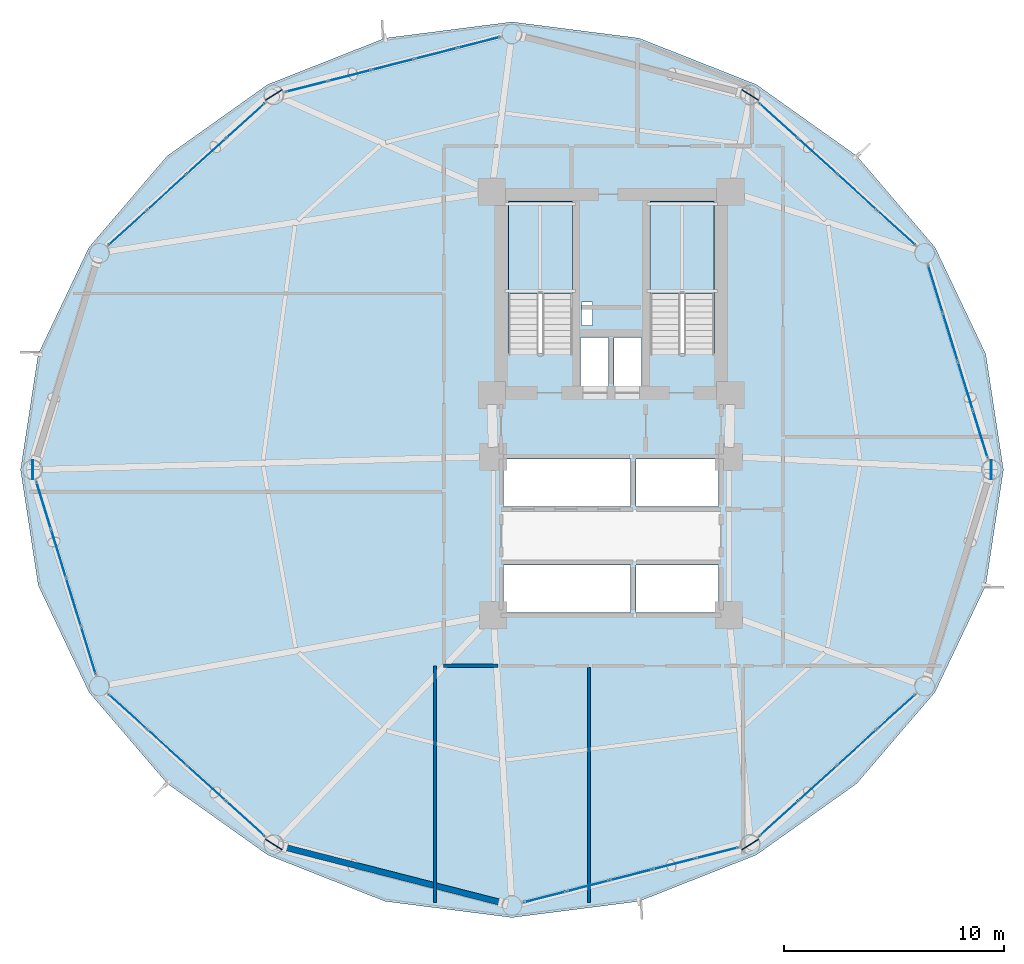
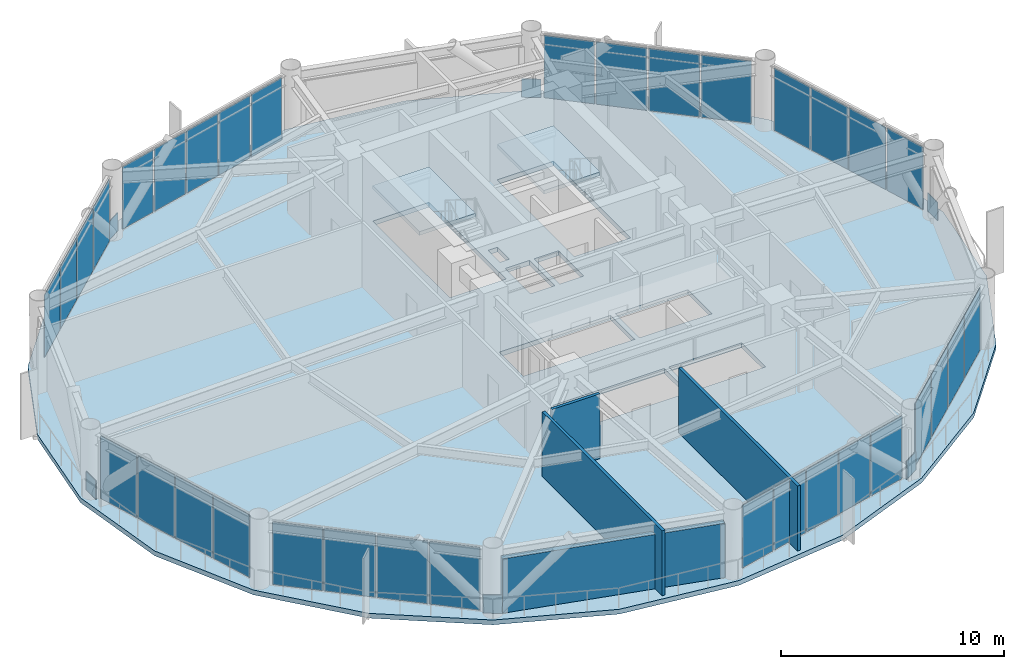
# One storey, part 19 of 25: 40 plates, 4 walls, 3 slabs, 10 elements without a shape of their own.
"""IFC4 building model written with IfcOpenShell, lengths in metres."""

from ifc_helpers import new_model, si_unit, direction, frame, frame_2d, origin, origin_2d, place, context, subcontext, project, spatial, polyline, rectangle, outline, extrude, source, transform, mapped, material, layer, layer_set, type_object, type_shapes, element, aggregate, save


model = new_model("IFC4")

# Units and contexts
model_context = context("Model", 3, precision=1e-05, world=origin(), true_north=direction((0.0, 1.0)))
body_context = subcontext(model_context, "Body", "Model", "MODEL_VIEW")
ifc_project = project(units=[si_unit("LENGTHUNIT", "METRE"), si_unit("AREAUNIT", "SQUARE_METRE"), si_unit("VOLUMEUNIT", "CUBIC_METRE"), si_unit("PLANEANGLEUNIT", "RADIAN"), si_unit("MASSUNIT", "GRAM", prefix="KILO")], contexts=[model_context])

# Site, building, storey
site_placement = place(None, origin())
site = spatial("IfcSite", under=ifc_project, at=site_placement, CompositionType="ELEMENT")
building_placement = place(site_placement, origin())
building = spatial("IfcBuilding", under=site, at=building_placement, Name="Varnakorn Sky Granary", CompositionType="ELEMENT")
storey_placement = place(building_placement, frame((0.0, 0.0, 74.39990234375)))
storey = spatial("IfcBuildingStorey", under=building, at=storey_placement, Name="L18", CompositionType="ELEMENT", Elevation=74.39990234375)

# Plates
ifc_material_1 = material(Name="Steel S460M", Category="steel")
ifc_layer_1 = layer(ifc_material_1, 0.0400390625, Name="Steel S460M")
ifc_layer_set_1 = layer_set([ifc_layer_1], Name="Steel S460M")
plate_type_1 = type_object("IfcPlateType", Name="PL-NODE-KN2", PredefinedType="SHEET", material=ifc_layer_set_1)
for number, where, z_axis, x_axis, name in (
    (1, (20.261962890625, 0.0, 0.0), (0.0, 0.0, 1.0), (0.0, 1.0, 0.0), "Diagrid Node Gusset Assembly KN2 L18-1"),
    (2, (9.3134765625, 17.013916015625, 0.0), (0.0, 0.0, 1.0), (-0.843965281971, 0.53639780278, 0.0), "Diagrid Node Gusset Assembly KN2 L18-3"),
    (3, (-12.3134765625, 17.013916015625, 0.0), (0.0, 0.0, 1.0), (-0.843965281971, -0.53639780278, 0.0), "Diagrid Node Gusset Assembly KN2 L18-5"),
    (4, (-23.261962890625, 0.0, 0.0), (0.0, 0.0, 1.0), (0.0, -1.0, 0.0), "Diagrid Node Gusset Assembly KN2 L18-7"),
    (5, (-12.3134765625, -17.013916015625, 0.0), (0.0, 0.0, 1.0), (0.843965281971, -0.53639780278, 0.0), "Diagrid Node Gusset Assembly KN2 L18-9"),
    (6, (9.3134765625, -17.013916015625, 0.0), (0.0, 0.0, 1.0), (0.843965281971, 0.53639780278, 0.0), "Diagrid Node Gusset Assembly KN2 L18-11"),
):
    element("IfcPlate", number, at=place(storey_placement, frame(where, z_axis=z_axis, x_axis=x_axis)), inside=storey, type_object=plate_type_1, Name=name, PredefinedType="SHEET", context=body_context, shape_type="SweptSolid", body=[
        extrude(rectangle(XDim=0.8798828125, YDim=0.0400390625, at=origin_2d()), origin(), (0.0, 0.0, 1.0), 1.0),
    ])

# Stair, slab
ifc_material_2 = material(Name="Concrete C40/50", Category="concrete")
stair_type = type_object("IfcStairType", Name="ST-MAIN-ASSEMBLY", PredefinedType="HALF_TURN_STAIR", material=ifc_material_2)
stair_1_placement = place(storey_placement, origin())
stair_1 = element("IfcStair", 7, at=stair_1_placement, inside=storey, type_object=stair_type, Name="L18 Protected Exit Stair ST-1", PredefinedType="HALF_TURN_STAIR")
ifc_layer_2 = layer(ifc_material_2, 0.199951171875, Name="Concrete C40/50")
ifc_layer_set_2 = layer_set([ifc_layer_2], Name="Concrete C40/50")
slab_type_1 = type_object("IfcSlabType", Name="ST-MAIN-LAND", PredefinedType="LANDING", material=ifc_layer_set_2)
slab_1_placement = place(storey_placement, frame((0.0, 0.0, 1.75)))
slab_1 = element("IfcSlab", 8, at=slab_1_placement, type_object=slab_type_1, Name="ST-1 landing 1", PredefinedType="LANDING", context=body_context, shape_type="SweptSolid", body=[
    extrude(outline(polyline([(1.239990234375, 8.0), (1.239990234375, 12.179931640625), (-1.669921875, 12.179931640625), (-1.669921875, 8.0), (1.239990234375, 8.0)])), origin(), (0.0, 0.0, 1.0), 0.2001953125),
])
aggregate(stair_1, [slab_1])

stair_2_placement = place(storey_placement, origin())
stair_2 = element("IfcStair", 9, at=stair_2_placement, inside=storey, type_object=stair_type, Name="L18 Protected Exit Stair ST-2", PredefinedType="HALF_TURN_STAIR")
slab_2_placement = place(storey_placement, frame((0.0, 0.0, 1.75)))
slab_2 = element("IfcSlab", 10, at=slab_2_placement, type_object=slab_type_1, Name="ST-2 landing 1", PredefinedType="LANDING", context=body_context, shape_type="SweptSolid", body=[
    extrude(outline(polyline([(7.679931640625, 8.0), (7.679931640625, 12.179931640625), (4.77001953125, 12.179931640625), (4.77001953125, 8.0), (7.679931640625, 8.0)])), origin(), (0.0, 0.0, 1.0), 0.2001953125),
])
aggregate(stair_2, [slab_2])

# Slab
ifc_material_3 = material(Name="Concrete C50/60", Category="concrete")
ifc_layer_3 = layer(ifc_material_3, 0.260009765625, Name="Concrete C50/60")
ifc_layer_set_3 = layer_set([ifc_layer_3], Name="Concrete C50/60")
slab_type_2 = type_object("IfcSlabType", Name="ST-SL-TWR-260", PredefinedType="FLOOR", material=ifc_layer_set_3)
slab_3_placement = place(storey_placement, frame((0.0, 0.0, -0.260009765625)))
element("IfcSlab", 11, at=slab_3_placement, inside=storey, type_object=slab_type_2, Name="Level L18 Structural Floor Slab", PredefinedType="FLOOR", context=body_context, shape_type="SweptSolid", body=[
    extrude(outline(polyline([(20.81201171875, 0.0), (20.00830078125, 5.25048828125), (17.705810546875, 10.097900390625), (14.149658203125, 14.248779296875), (9.58837890625, 17.490234375), (4.26318359375, 19.5947265625), (-1.5, 20.3310546875), (-7.26318359375, 19.5947265625), (-12.58837890625, 17.490234375), (-17.149658203125, 14.248779296875), (-20.705810546875, 10.097900390625), (-23.00830078125, 5.25048828125), (-23.81201171875, 0.0), (-23.00830078125, -5.25048828125), (-20.705810546875, -10.097900390625), (-17.149658203125, -14.248779296875), (-12.58837890625, -17.490234375), (-7.26318359375, -19.5947265625), (-1.5, -20.3310546875), (4.26318359375, -19.5947265625), (9.58837890625, -17.490234375), (14.149658203125, -14.248779296875), (17.705810546875, -10.097900390625), (20.00830078125, -5.25048828125), (20.81201171875, 0.0)]), holes=[polyline([(1.239990234375, 5.27490234375), (1.239990234375, 12.179931640625), (-1.669921875, 12.179931640625), (-1.669921875, 5.27490234375), (1.239990234375, 5.27490234375)]), polyline([(7.679931640625, 5.27490234375), (7.679931640625, 12.179931640625), (4.77001953125, 12.179931640625), (4.77001953125, 5.27490234375), (7.679931640625, 5.27490234375)]), polyline([(1.659912109375, 6.550048828125), (2.14990234375, 6.550048828125), (2.14990234375, 7.6201171875), (1.659912109375, 7.6201171875), (1.659912109375, 6.550048828125)]), polyline([(1.6201171875, 3.739990234375), (2.8798828125, 3.739990234375), (2.8798828125, 6.010009765625), (1.6201171875, 6.010009765625), (1.6201171875, 3.739990234375)]), polyline([(3.1201171875, 3.739990234375), (4.3798828125, 3.739990234375), (4.3798828125, 6.010009765625), (3.1201171875, 6.010009765625), (3.1201171875, 3.739990234375)]), polyline([(-1.8798828125, -1.679931640625), (3.8798828125, -1.679931640625), (3.8798828125, 0.47998046875), (-1.8798828125, 0.47998046875), (-1.8798828125, -1.679931640625)]), polyline([(4.1201171875, -1.679931640625), (7.8798828125, -1.679931640625), (7.8798828125, 0.47998046875), (4.1201171875, 0.47998046875), (4.1201171875, -1.679931640625)]), polyline([(-1.8798828125, -6.47998046875), (3.8798828125, -6.47998046875), (3.8798828125, -4.320068359375), (-1.8798828125, -4.320068359375), (-1.8798828125, -6.47998046875)]), polyline([(4.1201171875, -6.47998046875), (7.8798828125, -6.47998046875), (7.8798828125, -4.320068359375), (4.1201171875, -4.320068359375), (4.1201171875, -6.47998046875)])]), origin(), (0.0, 0.0, 1.0), 0.260009765625),
])

# Curtain wall, plates
ifc_material_4 = material(Name="Anodised Bronze Aluminium Alloy 6063-T6", Category="aluminium")
ifc_layer_4 = layer(ifc_material_4, 0.18994140625, Name="Anodised Bronze Aluminium Alloy 6063-T6")
ifc_layer_set_4 = layer_set([ifc_layer_4], Name="Anodised Bronze Aluminium Alloy 6063-T6")
curtain_wall_type = type_object("IfcCurtainWallType", Name="CW-FRM-1", PredefinedType="USERDEFINED", material=ifc_layer_set_4)
curtain_wall_1_placement = place(storey_placement, origin())
curtain_wall_1 = element("IfcCurtainWall", 12, at=curtain_wall_1_placement, inside=storey, type_object=curtain_wall_type, Name="Unitised Curtain Wall CW3 CW-L18-B01", ObjectType="CURTAIN WALL", PredefinedType="USERDEFINED")
ifc_material_5 = material(Name="Low-E Tinted Laminated Glass", Category="glass")
ifc_layer_5 = layer(ifc_material_5, 0.028076171875, Name="Low-E Tinted Laminated Glass")
ifc_layer_set_5 = layer_set([ifc_layer_5], Name="Low-E Tinted Laminated Glass")
plate_type_2 = type_object("IfcPlateType", Name="CW-FRM-1-PNL", PredefinedType="CURTAIN_PANEL")
shared_shape_1 = source(origin(), body_context, "Body", "SweptSolid", [
    extrude(rectangle(XDim=2.20654296875, YDim=0.028076171875, at=origin_2d()), origin(), (0.0, 0.0, 1.0), 3.409912109375),
])
plate_1_placement = place(storey_placement, frame((17.72802734375, 8.2080078125, 0.0703125), z_axis=(0.0, 0.0, 1.0), x_axis=(0.294978687405, -0.955503832529, 0.0)))
plate_1 = element("IfcPlate", 13, at=plate_1_placement, type_object=plate_type_2, material=ifc_layer_set_5, Name="CW3 vision glazing unit 1.1", PredefinedType="CURTAIN_PANEL", context=body_context, shape_type="MappedRepresentation", body=[
    mapped(shared_shape_1, transform((0.0, 0.0, 0.0), x_axis=(1.0, 0.0, 0.0), y_axis=(0.0, 1.0, 0.0), z_axis=(0.0, 0.0, 1.0), scale=1.0)),
])
ifc_material_6 = material(Name="Opaque Insulated Aluminium Shadow-Box Unit", Category="aluminium")
ifc_layer_6 = layer(ifc_material_6, 0.028076171875, Name="Opaque Insulated Aluminium Shadow-Box Unit")
ifc_layer_set_6 = layer_set([ifc_layer_6], Name="Opaque Insulated Aluminium Shadow-Box Unit")
plate_2_placement = place(storey_placement, frame((19.763427734375, 1.614990234375, 0.0703125), z_axis=(0.0, 0.0, 1.0), x_axis=(0.294978687405, -0.955503832529, 0.0)))
plate_2 = element("IfcPlate", 14, at=plate_2_placement, type_object=plate_type_2, material=ifc_layer_set_6, Name="CW3 opaque insulated shadow-box unit 4.1", PredefinedType="CURTAIN_PANEL", context=body_context, shape_type="MappedRepresentation", body=[
    mapped(shared_shape_1, transform((0.0, 0.0, 0.0), x_axis=(1.0, 0.0, 0.0), y_axis=(0.0, 1.0, 0.0), z_axis=(0.0, 0.0, 1.0), scale=1.0)),
])

curtain_wall_2_placement = place(storey_placement, origin())
curtain_wall_2 = element("IfcCurtainWall", 15, at=curtain_wall_2_placement, inside=storey, type_object=curtain_wall_type, Name="Unitised Curtain Wall CW3 CW-L18-B07", ObjectType="CURTAIN WALL", PredefinedType="USERDEFINED")
plate_3_placement = place(storey_placement, frame((-20.72802734375, -8.2080078125, 0.0703125), z_axis=(0.0, 0.0, 1.0), x_axis=(-0.294978687405, 0.955503832529, 0.0)))
plate_3 = element("IfcPlate", 16, at=plate_3_placement, type_object=plate_type_2, material=ifc_layer_set_5, Name="CW3 vision glazing unit 1.1", PredefinedType="CURTAIN_PANEL", context=body_context, shape_type="MappedRepresentation", body=[
    mapped(shared_shape_1, transform((0.0, 0.0, 0.0), x_axis=(1.0, 0.0, 0.0), y_axis=(0.0, 1.0, 0.0), z_axis=(0.0, 0.0, 1.0), scale=1.0)),
])
plate_4_placement = place(storey_placement, frame((-22.763427734375, -1.614990234375, 0.0703125), z_axis=(0.0, 0.0, 1.0), x_axis=(-0.294978687405, 0.955503832529, 0.0)))
plate_4 = element("IfcPlate", 17, at=plate_4_placement, type_object=plate_type_2, material=ifc_layer_set_6, Name="CW3 opaque insulated shadow-box unit 4.1", PredefinedType="CURTAIN_PANEL", context=body_context, shape_type="MappedRepresentation", body=[
    mapped(shared_shape_1, transform((0.0, 0.0, 0.0), x_axis=(1.0, 0.0, 0.0), y_axis=(0.0, 1.0, 0.0), z_axis=(0.0, 0.0, 1.0), scale=1.0)),
])

# Plate
shared_shape_2 = source(origin(), body_context, "Body", "SweptSolid", [
    extrude(rectangle(XDim=2.24169921875, YDim=0.028076171875, at=origin_2d()), origin(), (0.0, 0.0, 1.0), 3.409912109375),
])
plate_5_placement = place(storey_placement, frame((18.40478515625, 6.015869140625, 0.0703125), z_axis=(0.0, 0.0, 1.0), x_axis=(0.294978687405, -0.955503832529, 0.0)))
plate_5 = element("IfcPlate", 18, at=plate_5_placement, type_object=plate_type_2, material=ifc_layer_set_5, Name="CW3 vision glazing unit 2.1", PredefinedType="CURTAIN_PANEL", context=body_context, shape_type="MappedRepresentation", body=[
    mapped(shared_shape_2, transform((0.0, 0.0, 0.0), x_axis=(1.0, 0.0, 0.0), y_axis=(0.0, 1.0, 0.0), z_axis=(0.0, 0.0, 1.0), scale=1.0)),
])

plate_6_placement = place(storey_placement, frame((19.086669921875, 3.80712890625, 0.0703125), z_axis=(0.0, 0.0, 1.0), x_axis=(0.294978687405, -0.955503832529, 0.0)))
plate_6 = element("IfcPlate", 19, at=plate_6_placement, type_object=plate_type_2, material=ifc_layer_set_6, Name="CW3 opaque insulated shadow-box unit 3.1", PredefinedType="CURTAIN_PANEL", context=body_context, shape_type="MappedRepresentation", body=[
    mapped(shared_shape_2, transform((0.0, 0.0, 0.0), x_axis=(1.0, 0.0, 0.0), y_axis=(0.0, 1.0, 0.0), z_axis=(0.0, 0.0, 1.0), scale=1.0)),
])

aggregate(curtain_wall_1, [plate_1, plate_5, plate_6, plate_2])

plate_7_placement = place(storey_placement, frame((-21.40478515625, -6.015869140625, 0.0703125), z_axis=(0.0, 0.0, 1.0), x_axis=(-0.294978687405, 0.955503832529, 0.0)))
plate_7 = element("IfcPlate", 20, at=plate_7_placement, type_object=plate_type_2, material=ifc_layer_set_5, Name="CW3 vision glazing unit 2.1", PredefinedType="CURTAIN_PANEL", context=body_context, shape_type="MappedRepresentation", body=[
    mapped(shared_shape_2, transform((0.0, 0.0, 0.0), x_axis=(1.0, 0.0, 0.0), y_axis=(0.0, 1.0, 0.0), z_axis=(0.0, 0.0, 1.0), scale=1.0)),
])

plate_8_placement = place(storey_placement, frame((-22.086669921875, -3.80712890625, 0.0703125), z_axis=(0.0, 0.0, 1.0), x_axis=(-0.294978687405, 0.955503832529, 0.0)))
plate_8 = element("IfcPlate", 21, at=plate_8_placement, type_object=plate_type_2, material=ifc_layer_set_6, Name="CW3 opaque insulated shadow-box unit 3.1", PredefinedType="CURTAIN_PANEL", context=body_context, shape_type="MappedRepresentation", body=[
    mapped(shared_shape_2, transform((0.0, 0.0, 0.0), x_axis=(1.0, 0.0, 0.0), y_axis=(0.0, 1.0, 0.0), z_axis=(0.0, 0.0, 1.0), scale=1.0)),
])

aggregate(curtain_wall_2, [plate_3, plate_7, plate_8, plate_4])

# Curtain wall, plates
curtain_wall_3_placement = place(storey_placement, origin())
curtain_wall_3 = element("IfcCurtainWall", 22, at=curtain_wall_3_placement, inside=storey, type_object=curtain_wall_type, Name="Unitised Curtain Wall CW3 CW-L18-B02", ObjectType="CURTAIN WALL", PredefinedType="USERDEFINED")
shared_shape_3 = source(origin(), body_context, "Body", "SweptSolid", [
    extrude(rectangle(XDim=2.31005859375, YDim=0.028076171875, at=origin_2d()), origin(), (0.0, 0.0, 1.0), 3.409912109375),
])
plate_9_placement = place(storey_placement, frame((10.60302734375, 15.842529296875, 0.0703125), z_axis=(0.0, 0.0, 1.0), x_axis=(0.740189674683, -0.672398130197, 0.0)))
plate_9 = element("IfcPlate", 23, at=plate_9_placement, type_object=plate_type_2, material=ifc_layer_set_6, Name="CW3 opaque insulated shadow-box unit 1.1", PredefinedType="CURTAIN_PANEL", context=body_context, shape_type="MappedRepresentation", body=[
    mapped(shared_shape_3, transform((0.0, 0.0, 0.0), x_axis=(1.0, 0.0, 0.0), y_axis=(0.0, 1.0, 0.0), z_axis=(0.0, 0.0, 1.0), scale=1.0)),
])
plate_10_placement = place(storey_placement, frame((15.93994140625, 10.994384765625, 0.0703125), z_axis=(0.0, 0.0, 1.0), x_axis=(0.740189674683, -0.672398130197, 0.0)))
plate_10 = element("IfcPlate", 24, at=plate_10_placement, type_object=plate_type_2, material=ifc_layer_set_5, Name="CW3 vision glazing unit 4.1", PredefinedType="CURTAIN_PANEL", context=body_context, shape_type="MappedRepresentation", body=[
    mapped(shared_shape_3, transform((0.0, 0.0, 0.0), x_axis=(1.0, 0.0, 0.0), y_axis=(0.0, 1.0, 0.0), z_axis=(0.0, 0.0, 1.0), scale=1.0)),
])

curtain_wall_4_placement = place(storey_placement, origin())
curtain_wall_4 = element("IfcCurtainWall", 25, at=curtain_wall_4_placement, inside=storey, type_object=curtain_wall_type, Name="Unitised Curtain Wall CW3 CW-L18-B05", ObjectType="CURTAIN WALL", PredefinedType="USERDEFINED")
plate_11_placement = place(storey_placement, frame((-18.93994140625, 10.994384765625, 0.0703125), z_axis=(0.0, 0.0, 1.0), x_axis=(0.740189674683, 0.672398130197, 0.0)))
plate_11 = element("IfcPlate", 26, at=plate_11_placement, type_object=plate_type_2, material=ifc_layer_set_5, Name="CW3 vision glazing unit 1.1", PredefinedType="CURTAIN_PANEL", context=body_context, shape_type="MappedRepresentation", body=[
    mapped(shared_shape_3, transform((0.0, 0.0, 0.0), x_axis=(1.0, 0.0, 0.0), y_axis=(0.0, 1.0, 0.0), z_axis=(0.0, 0.0, 1.0), scale=1.0)),
])
plate_12_placement = place(storey_placement, frame((-13.60302734375, 15.842529296875, 0.0703125), z_axis=(0.0, 0.0, 1.0), x_axis=(0.740189674683, 0.672398130197, 0.0)))
plate_12 = element("IfcPlate", 27, at=plate_12_placement, type_object=plate_type_2, material=ifc_layer_set_6, Name="CW3 opaque insulated shadow-box unit 4.1", PredefinedType="CURTAIN_PANEL", context=body_context, shape_type="MappedRepresentation", body=[
    mapped(shared_shape_3, transform((0.0, 0.0, 0.0), x_axis=(1.0, 0.0, 0.0), y_axis=(0.0, 1.0, 0.0), z_axis=(0.0, 0.0, 1.0), scale=1.0)),
])

curtain_wall_5_placement = place(storey_placement, origin())
curtain_wall_5 = element("IfcCurtainWall", 28, at=curtain_wall_5_placement, inside=storey, type_object=curtain_wall_type, Name="Unitised Curtain Wall CW3 CW-L18-B08", ObjectType="CURTAIN WALL", PredefinedType="USERDEFINED")
plate_13_placement = place(storey_placement, frame((-13.60302734375, -15.842529296875, 0.0703125), z_axis=(0.0, 0.0, 1.0), x_axis=(-0.740189674683, 0.672398130197, 0.0)))
plate_13 = element("IfcPlate", 29, at=plate_13_placement, type_object=plate_type_2, material=ifc_layer_set_6, Name="CW3 opaque insulated shadow-box unit 1.1", PredefinedType="CURTAIN_PANEL", context=body_context, shape_type="MappedRepresentation", body=[
    mapped(shared_shape_3, transform((0.0, 0.0, 0.0), x_axis=(1.0, 0.0, 0.0), y_axis=(0.0, 1.0, 0.0), z_axis=(0.0, 0.0, 1.0), scale=1.0)),
])
plate_14_placement = place(storey_placement, frame((-18.93994140625, -10.994384765625, 0.0703125), z_axis=(0.0, 0.0, 1.0), x_axis=(-0.740189674683, 0.672398130197, 0.0)))
plate_14 = element("IfcPlate", 30, at=plate_14_placement, type_object=plate_type_2, material=ifc_layer_set_5, Name="CW3 vision glazing unit 4.1", PredefinedType="CURTAIN_PANEL", context=body_context, shape_type="MappedRepresentation", body=[
    mapped(shared_shape_3, transform((0.0, 0.0, 0.0), x_axis=(1.0, 0.0, 0.0), y_axis=(0.0, 1.0, 0.0), z_axis=(0.0, 0.0, 1.0), scale=1.0)),
])

curtain_wall_6_placement = place(storey_placement, origin())
curtain_wall_6 = element("IfcCurtainWall", 31, at=curtain_wall_6_placement, inside=storey, type_object=curtain_wall_type, Name="Unitised Curtain Wall CW3 CW-L18-B11", ObjectType="CURTAIN WALL", PredefinedType="USERDEFINED")
plate_15_placement = place(storey_placement, frame((15.93994140625, -10.994384765625, 0.0703125), z_axis=(0.0, 0.0, 1.0), x_axis=(-0.740189674683, -0.672398130197, 0.0)))
plate_15 = element("IfcPlate", 32, at=plate_15_placement, type_object=plate_type_2, material=ifc_layer_set_5, Name="CW3 vision glazing unit 1.1", PredefinedType="CURTAIN_PANEL", context=body_context, shape_type="MappedRepresentation", body=[
    mapped(shared_shape_3, transform((0.0, 0.0, 0.0), x_axis=(1.0, 0.0, 0.0), y_axis=(0.0, 1.0, 0.0), z_axis=(0.0, 0.0, 1.0), scale=1.0)),
])
plate_16_placement = place(storey_placement, frame((10.60302734375, -15.842529296875, 0.0703125), z_axis=(0.0, 0.0, 1.0), x_axis=(-0.740189674683, -0.672398130197, 0.0)))
plate_16 = element("IfcPlate", 33, at=plate_16_placement, type_object=plate_type_2, material=ifc_layer_set_6, Name="CW3 opaque insulated shadow-box unit 4.1", PredefinedType="CURTAIN_PANEL", context=body_context, shape_type="MappedRepresentation", body=[
    mapped(shared_shape_3, transform((0.0, 0.0, 0.0), x_axis=(1.0, 0.0, 0.0), y_axis=(0.0, 1.0, 0.0), z_axis=(0.0, 0.0, 1.0), scale=1.0)),
])

# Plate
shared_shape_4 = source(origin(), body_context, "Body", "SweptSolid", [
    extrude(rectangle(XDim=2.34521484375, YDim=0.028076171875, at=origin_2d()), origin(), (0.0, 0.0, 1.0), 3.409912109375),
])
plate_17_placement = place(storey_placement, frame((12.377685546875, 14.23046875, 0.0703125), z_axis=(0.0, 0.0, 1.0), x_axis=(0.740189674683, -0.672398130197, 0.0)))
plate_17 = element("IfcPlate", 34, at=plate_17_placement, type_object=plate_type_2, material=ifc_layer_set_6, Name="CW3 opaque insulated shadow-box unit 2.1", PredefinedType="CURTAIN_PANEL", context=body_context, shape_type="MappedRepresentation", body=[
    mapped(shared_shape_4, transform((0.0, 0.0, 0.0), x_axis=(1.0, 0.0, 0.0), y_axis=(0.0, 1.0, 0.0), z_axis=(0.0, 0.0, 1.0), scale=1.0)),
])

plate_18_placement = place(storey_placement, frame((14.165283203125, 12.6064453125, 0.0703125), z_axis=(0.0, 0.0, 1.0), x_axis=(0.740189674683, -0.672398130197, 0.0)))
plate_18 = element("IfcPlate", 35, at=plate_18_placement, type_object=plate_type_2, material=ifc_layer_set_5, Name="CW3 vision glazing unit 3.1", PredefinedType="CURTAIN_PANEL", context=body_context, shape_type="MappedRepresentation", body=[
    mapped(shared_shape_4, transform((0.0, 0.0, 0.0), x_axis=(1.0, 0.0, 0.0), y_axis=(0.0, 1.0, 0.0), z_axis=(0.0, 0.0, 1.0), scale=1.0)),
])

aggregate(curtain_wall_3, [plate_9, plate_17, plate_18, plate_10])

plate_19_placement = place(storey_placement, frame((-17.165283203125, 12.6064453125, 0.0703125), z_axis=(0.0, 0.0, 1.0), x_axis=(0.740189674683, 0.672398130197, 0.0)))
plate_19 = element("IfcPlate", 36, at=plate_19_placement, type_object=plate_type_2, material=ifc_layer_set_5, Name="CW3 vision glazing unit 2.1", PredefinedType="CURTAIN_PANEL", context=body_context, shape_type="MappedRepresentation", body=[
    mapped(shared_shape_4, transform((0.0, 0.0, 0.0), x_axis=(1.0, 0.0, 0.0), y_axis=(0.0, 1.0, 0.0), z_axis=(0.0, 0.0, 1.0), scale=1.0)),
])

plate_20_placement = place(storey_placement, frame((-15.377685546875, 14.23046875, 0.0703125), z_axis=(0.0, 0.0, 1.0), x_axis=(0.740189674683, 0.672398130197, 0.0)))
plate_20 = element("IfcPlate", 37, at=plate_20_placement, type_object=plate_type_2, material=ifc_layer_set_6, Name="CW3 opaque insulated shadow-box unit 3.1", PredefinedType="CURTAIN_PANEL", context=body_context, shape_type="MappedRepresentation", body=[
    mapped(shared_shape_4, transform((0.0, 0.0, 0.0), x_axis=(1.0, 0.0, 0.0), y_axis=(0.0, 1.0, 0.0), z_axis=(0.0, 0.0, 1.0), scale=1.0)),
])

aggregate(curtain_wall_4, [plate_11, plate_19, plate_20, plate_12])

plate_21_placement = place(storey_placement, frame((-15.377685546875, -14.23046875, 0.0703125), z_axis=(0.0, 0.0, 1.0), x_axis=(-0.740189674683, 0.672398130197, 0.0)))
plate_21 = element("IfcPlate", 38, at=plate_21_placement, type_object=plate_type_2, material=ifc_layer_set_6, Name="CW3 opaque insulated shadow-box unit 2.1", PredefinedType="CURTAIN_PANEL", context=body_context, shape_type="MappedRepresentation", body=[
    mapped(shared_shape_4, transform((0.0, 0.0, 0.0), x_axis=(1.0, 0.0, 0.0), y_axis=(0.0, 1.0, 0.0), z_axis=(0.0, 0.0, 1.0), scale=1.0)),
])

plate_22_placement = place(storey_placement, frame((-17.165283203125, -12.6064453125, 0.0703125), z_axis=(0.0, 0.0, 1.0), x_axis=(-0.740189674683, 0.672398130197, 0.0)))
plate_22 = element("IfcPlate", 39, at=plate_22_placement, type_object=plate_type_2, material=ifc_layer_set_5, Name="CW3 vision glazing unit 3.1", PredefinedType="CURTAIN_PANEL", context=body_context, shape_type="MappedRepresentation", body=[
    mapped(shared_shape_4, transform((0.0, 0.0, 0.0), x_axis=(1.0, 0.0, 0.0), y_axis=(0.0, 1.0, 0.0), z_axis=(0.0, 0.0, 1.0), scale=1.0)),
])

aggregate(curtain_wall_5, [plate_13, plate_21, plate_22, plate_14])

plate_23_placement = place(storey_placement, frame((14.165283203125, -12.6064453125, 0.0703125), z_axis=(0.0, 0.0, 1.0), x_axis=(-0.740189674683, -0.672398130197, 0.0)))
plate_23 = element("IfcPlate", 40, at=plate_23_placement, type_object=plate_type_2, material=ifc_layer_set_5, Name="CW3 vision glazing unit 2.1", PredefinedType="CURTAIN_PANEL", context=body_context, shape_type="MappedRepresentation", body=[
    mapped(shared_shape_4, transform((0.0, 0.0, 0.0), x_axis=(1.0, 0.0, 0.0), y_axis=(0.0, 1.0, 0.0), z_axis=(0.0, 0.0, 1.0), scale=1.0)),
])

plate_24_placement = place(storey_placement, frame((12.377685546875, -14.23046875, 0.0703125), z_axis=(0.0, 0.0, 1.0), x_axis=(-0.740189674683, -0.672398130197, 0.0)))
plate_24 = element("IfcPlate", 41, at=plate_24_placement, type_object=plate_type_2, material=ifc_layer_set_6, Name="CW3 opaque insulated shadow-box unit 3.1", PredefinedType="CURTAIN_PANEL", context=body_context, shape_type="MappedRepresentation", body=[
    mapped(shared_shape_4, transform((0.0, 0.0, 0.0), x_axis=(1.0, 0.0, 0.0), y_axis=(0.0, 1.0, 0.0), z_axis=(0.0, 0.0, 1.0), scale=1.0)),
])

aggregate(curtain_wall_6, [plate_15, plate_23, plate_24, plate_16])

# Curtain wall, plates
curtain_wall_7_placement = place(storey_placement, origin())
curtain_wall_7 = element("IfcCurtainWall", 42, at=curtain_wall_7_placement, inside=storey, type_object=curtain_wall_type, Name="Unitised Curtain Wall CW3 CW-L18-B04", ObjectType="CURTAIN WALL", PredefinedType="USERDEFINED")
shared_shape_5 = source(origin(), body_context, "Body", "SweptSolid", [
    extrude(rectangle(XDim=1.920654296875, YDim=0.028076171875, at=origin_2d()), origin(), (0.0, 0.0, 1.0), 3.409912109375),
])
plate_25_placement = place(storey_placement, frame((-10.814453125, 17.3974609375, 0.0703125), z_axis=(0.0, 0.0, 1.0), x_axis=(0.968785390426, 0.247900922341, 0.0)))
plate_25 = element("IfcPlate", 43, at=plate_25_placement, type_object=plate_type_2, material=ifc_layer_set_6, Name="CW3 opaque insulated shadow-box unit 1.1", PredefinedType="CURTAIN_PANEL", context=body_context, shape_type="MappedRepresentation", body=[
    mapped(shared_shape_5, transform((0.0, 0.0, 0.0), x_axis=(1.0, 0.0, 0.0), y_axis=(0.0, 1.0, 0.0), z_axis=(0.0, 0.0, 1.0), scale=1.0)),
])
plate_26_placement = place(storey_placement, frame((-2.9990234375, 19.3974609375, 0.0703125), z_axis=(0.0, 0.0, 1.0), x_axis=(0.968785390426, 0.247900922341, 0.0)))
plate_26 = element("IfcPlate", 44, at=plate_26_placement, type_object=plate_type_2, material=ifc_layer_set_5, Name="CW3 vision glazing unit 5.1", PredefinedType="CURTAIN_PANEL", context=body_context, shape_type="MappedRepresentation", body=[
    mapped(shared_shape_5, transform((0.0, 0.0, 0.0), x_axis=(1.0, 0.0, 0.0), y_axis=(0.0, 1.0, 0.0), z_axis=(0.0, 0.0, 1.0), scale=1.0)),
])

curtain_wall_8_placement = place(storey_placement, origin())
curtain_wall_8 = element("IfcCurtainWall", 45, at=curtain_wall_8_placement, inside=storey, type_object=curtain_wall_type, Name="Unitised Curtain Wall CW3 CW-L18-B10", ObjectType="CURTAIN WALL", PredefinedType="USERDEFINED")
plate_27_placement = place(storey_placement, frame((7.814453125, -17.3974609375, 0.0703125), z_axis=(0.0, 0.0, 1.0), x_axis=(-0.968785390426, -0.247900922341, 0.0)))
plate_27 = element("IfcPlate", 46, at=plate_27_placement, type_object=plate_type_2, material=ifc_layer_set_6, Name="CW3 opaque insulated shadow-box unit 1.1", PredefinedType="CURTAIN_PANEL", context=body_context, shape_type="MappedRepresentation", body=[
    mapped(shared_shape_5, transform((0.0, 0.0, 0.0), x_axis=(1.0, 0.0, 0.0), y_axis=(0.0, 1.0, 0.0), z_axis=(0.0, 0.0, 1.0), scale=1.0)),
])
plate_28_placement = place(storey_placement, frame((-0.0009765625, -19.3974609375, 0.0703125), z_axis=(0.0, 0.0, 1.0), x_axis=(-0.968785390426, -0.247900922341, 0.0)))
plate_28 = element("IfcPlate", 47, at=plate_28_placement, type_object=plate_type_2, material=ifc_layer_set_5, Name="CW3 vision glazing unit 5.1", PredefinedType="CURTAIN_PANEL", context=body_context, shape_type="MappedRepresentation", body=[
    mapped(shared_shape_5, transform((0.0, 0.0, 0.0), x_axis=(1.0, 0.0, 0.0), y_axis=(0.0, 1.0, 0.0), z_axis=(0.0, 0.0, 1.0), scale=1.0)),
])

# Plate
shared_shape_6 = source(origin(), body_context, "Body", "SweptSolid", [
    extrude(rectangle(XDim=1.95556640625, YDim=0.028076171875, at=origin_2d()), origin(), (0.0, 0.0, 1.0), 3.409912109375),
])
type_shapes(plate_type_2, [shared_shape_1, shared_shape_2, shared_shape_3, shared_shape_4, shared_shape_5, shared_shape_6])
plate_29_placement = place(storey_placement, frame((-8.869140625, 17.895263671875, 0.0703125), z_axis=(0.0, 0.0, 1.0), x_axis=(0.968785390426, 0.247900922341, 0.0)))
plate_29 = element("IfcPlate", 48, at=plate_29_placement, type_object=plate_type_2, material=ifc_layer_set_6, Name="CW3 opaque insulated shadow-box unit 2.1", PredefinedType="CURTAIN_PANEL", context=body_context, shape_type="MappedRepresentation", body=[
    mapped(shared_shape_6, transform((0.0, 0.0, 0.0), x_axis=(1.0, 0.0, 0.0), y_axis=(0.0, 1.0, 0.0), z_axis=(0.0, 0.0, 1.0), scale=1.0)),
])

plate_30_placement = place(storey_placement, frame((-6.90673828125, 18.3974609375, 0.0703125), z_axis=(0.0, 0.0, 1.0), x_axis=(0.968785390426, 0.247900922341, 0.0)))
plate_30 = element("IfcPlate", 49, at=plate_30_placement, type_object=plate_type_2, material=ifc_layer_set_5, Name="CW3 vision glazing unit 3.1", PredefinedType="CURTAIN_PANEL", context=body_context, shape_type="MappedRepresentation", body=[
    mapped(shared_shape_6, transform((0.0, 0.0, 0.0), x_axis=(1.0, 0.0, 0.0), y_axis=(0.0, 1.0, 0.0), z_axis=(0.0, 0.0, 1.0), scale=1.0)),
])

plate_31_placement = place(storey_placement, frame((-4.9443359375, 18.899658203125, 0.0703125), z_axis=(0.0, 0.0, 1.0), x_axis=(0.968785390426, 0.247900922341, 0.0)))
plate_31 = element("IfcPlate", 50, at=plate_31_placement, type_object=plate_type_2, material=ifc_layer_set_5, Name="CW3 vision glazing unit 4.1", PredefinedType="CURTAIN_PANEL", context=body_context, shape_type="MappedRepresentation", body=[
    mapped(shared_shape_6, transform((0.0, 0.0, 0.0), x_axis=(1.0, 0.0, 0.0), y_axis=(0.0, 1.0, 0.0), z_axis=(0.0, 0.0, 1.0), scale=1.0)),
])

aggregate(curtain_wall_7, [plate_25, plate_29, plate_30, plate_31, plate_26])

plate_32_placement = place(storey_placement, frame((5.869140625, -17.895263671875, 0.0703125), z_axis=(0.0, 0.0, 1.0), x_axis=(-0.968785390426, -0.247900922341, 0.0)))
plate_32 = element("IfcPlate", 51, at=plate_32_placement, type_object=plate_type_2, material=ifc_layer_set_6, Name="CW3 opaque insulated shadow-box unit 2.1", PredefinedType="CURTAIN_PANEL", context=body_context, shape_type="MappedRepresentation", body=[
    mapped(shared_shape_6, transform((0.0, 0.0, 0.0), x_axis=(1.0, 0.0, 0.0), y_axis=(0.0, 1.0, 0.0), z_axis=(0.0, 0.0, 1.0), scale=1.0)),
])

plate_33_placement = place(storey_placement, frame((3.90673828125, -18.3974609375, 0.0703125), z_axis=(0.0, 0.0, 1.0), x_axis=(-0.968785390426, -0.247900922341, 0.0)))
plate_33 = element("IfcPlate", 52, at=plate_33_placement, type_object=plate_type_2, material=ifc_layer_set_5, Name="CW3 vision glazing unit 3.1", PredefinedType="CURTAIN_PANEL", context=body_context, shape_type="MappedRepresentation", body=[
    mapped(shared_shape_6, transform((0.0, 0.0, 0.0), x_axis=(1.0, 0.0, 0.0), y_axis=(0.0, 1.0, 0.0), z_axis=(0.0, 0.0, 1.0), scale=1.0)),
])

plate_34_placement = place(storey_placement, frame((1.9443359375, -18.899658203125, 0.0703125), z_axis=(0.0, 0.0, 1.0), x_axis=(-0.968785390426, -0.247900922341, 0.0)))
plate_34 = element("IfcPlate", 53, at=plate_34_placement, type_object=plate_type_2, material=ifc_layer_set_5, Name="CW3 vision glazing unit 4.1", PredefinedType="CURTAIN_PANEL", context=body_context, shape_type="MappedRepresentation", body=[
    mapped(shared_shape_6, transform((0.0, 0.0, 0.0), x_axis=(1.0, 0.0, 0.0), y_axis=(0.0, 1.0, 0.0), z_axis=(0.0, 0.0, 1.0), scale=1.0)),
])

aggregate(curtain_wall_8, [plate_27, plate_32, plate_33, plate_34, plate_28])

# Walls
ifc_material_7 = material(Name="Precast concrete C40/50", Category="concrete")
ifc_layer_7 = layer(ifc_material_7, 0.280029296875, Name="Precast concrete C40/50")
ifc_layer_set_7 = layer_set([ifc_layer_7], Name="Precast concrete C40/50")
wall_type_1 = type_object("IfcWallType", Name="WT-EW-CRN-280", PredefinedType="SOLIDWALL", material=ifc_layer_set_7)
wall_1_placement = place(storey_placement, frame((-1.899169921875, -19.678955078125, 0.0), z_axis=(0.0, 0.0, 1.0), x_axis=(-0.968780019366, 0.24792191125, 0.0)))
element("IfcWall", 54, at=wall_1_placement, inside=storey, type_object=wall_type_1, Name="Agritech Insulated Precast Facade Wall L18-P09", PredefinedType="SOLIDWALL", context=body_context, shape_type="SweptSolid", body=[
    extrude(rectangle(XDim=10.337890625, YDim=0.280029296875, at=frame_2d((5.1689453125, 0.0))), origin(), (0.0, 0.0, 1.0), 2.97021484375),
])
ifc_material_8 = material(Name="Gypsum Plasterboard on Steel Stud", Category="steel")
ifc_layer_8 = layer(ifc_material_8, 0.14990234375, Name="Gypsum Plasterboard on Steel Stud")
ifc_layer_set_8 = layer_set([ifc_layer_8], Name="Gypsum Plasterboard on Steel Stud")
wall_type_2 = type_object("IfcWallType", Name="WT-PART-150", PredefinedType="PARTITIONING", material=ifc_layer_set_8)
wall_2_placement = place(storey_placement, frame((-4.60009765625, -8.89990234375, 0.0), z_axis=(0.0, 0.0, 1.0), x_axis=(1.0, 0.0, 0.0)))
element("IfcWall", 55, at=wall_2_placement, inside=storey, type_object=wall_type_2, Name="Interior Partition Wall L18-034", PredefinedType="PARTITIONING", context=body_context, shape_type="SweptSolid", body=[
    extrude(rectangle(XDim=2.465087890625, YDim=0.14990234375, at=frame_2d((1.232421875, 0.0))), origin(), (0.0, 0.0, 1.0), 3.550048828125),
])
wall_3_placement = place(storey_placement, frame((2.0, -8.985107421875, 0.0), z_axis=(0.0, 0.0, 1.0), x_axis=(0.0, -1.0, 0.0)))
element("IfcWall", 56, at=wall_3_placement, inside=storey, type_object=wall_type_2, Name="Interior Partition Wall L18-035", PredefinedType="PARTITIONING", context=body_context, shape_type="SweptSolid", body=[
    extrude(rectangle(XDim=10.658935546875, YDim=0.14990234375, at=frame_2d((5.32958984375, 0.0))), origin(), (0.0, 0.0, 1.0), 3.550048828125),
])
wall_4_placement = place(storey_placement, frame((-5.0, -19.64404296875, 0.0), z_axis=(0.0, 0.0, 1.0), x_axis=(0.0, 1.0, 0.0)))
element("IfcWall", 57, at=wall_4_placement, inside=storey, type_object=wall_type_2, Name="Interior Partition Wall L18-036", PredefinedType="PARTITIONING", context=body_context, shape_type="SweptSolid", body=[
    extrude(rectangle(XDim=10.744140625, YDim=0.14990234375, at=frame_2d((5.3720703125, 0.0))), origin(), (0.0, 0.0, 1.0), 3.550048828125),
])

save(model, "model.ifc")
